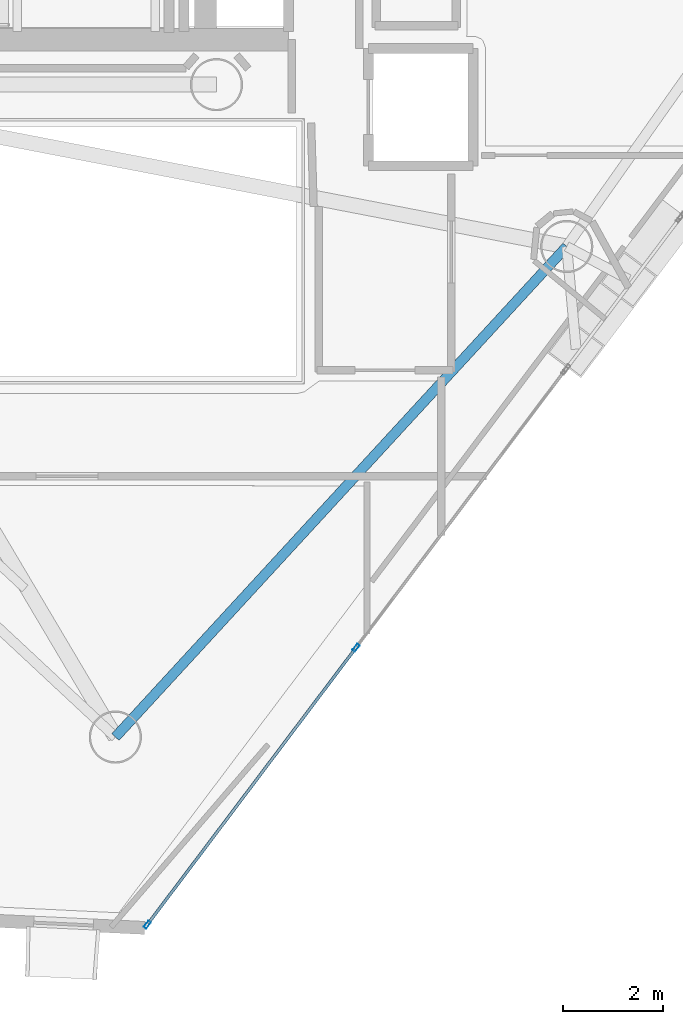
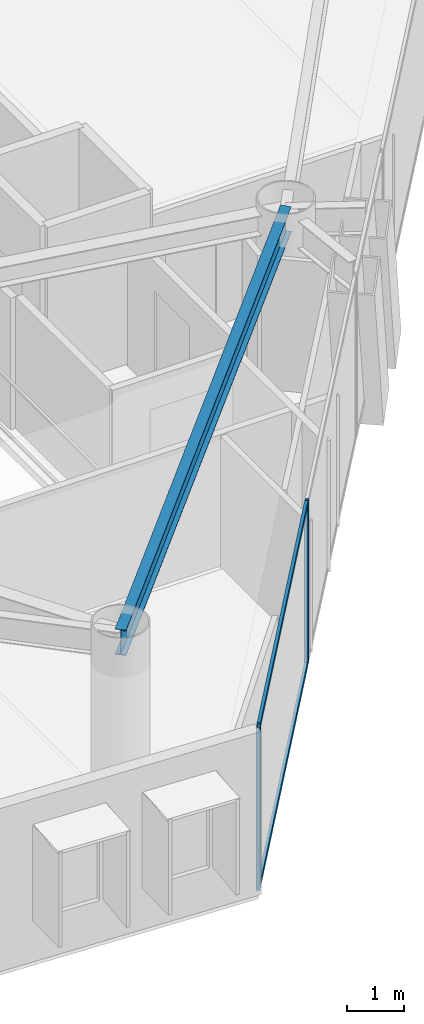
# One storey, part 4 of 19: 4 members, 1 beam, 1 element without a shape of its own.
"""IFC4 building model written with IfcOpenShell, lengths in metres."""

from ifc_helpers import new_model, si_unit, direction, frame, origin, origin_2d, place, context, subcontext, project, spatial, hollow_rectangle, i_section, extrude, material, layer, layer_set, material_profile, profile_set, type_object, element, aggregate, save


model = new_model("IFC4")

# Units and contexts
model_context = context("Model", 3, precision=1e-05, world=origin(), true_north=direction((0.0, 1.0)))
body_context = subcontext(model_context, "Body", "Model", "MODEL_VIEW")
ifc_project = project(units=[si_unit("LENGTHUNIT", "METRE"), si_unit("AREAUNIT", "SQUARE_METRE"), si_unit("VOLUMEUNIT", "CUBIC_METRE"), si_unit("PLANEANGLEUNIT", "RADIAN"), si_unit("MASSUNIT", "GRAM", prefix="KILO")], contexts=[model_context])

# Site, building, storey
site_placement = place(None, origin())
site = spatial("IfcSite", under=ifc_project, at=site_placement, CompositionType="ELEMENT")
building_placement = place(site_placement, origin())
building = spatial("IfcBuilding", under=site, at=building_placement, Name="Qianvela Tower", CompositionType="ELEMENT")
storey_placement = place(building_placement, frame((0.0, 0.0, 268.60009765625)))
storey = spatial("IfcBuildingStorey", under=building, at=storey_placement, Name="L69", CompositionType="ELEMENT", Elevation=268.60009765625)

# Beam
ifc_material_1 = material(Name="Steel Q355B", Category="steel")
ifc_material_profile_1 = material_profile(ifc_material_1, i_section(OverallWidth=0.199951171875, OverallDepth=0.550048828125, WebThickness=0.010009765625, FlangeThickness=0.01611328125, at=origin_2d()), Name="HN550x200x10x16")
ifc_profile_set_1 = profile_set([ifc_material_profile_1], Name="Steel Q355B")
beam_type = type_object("IfcBeamType", Name="BM-HN550-GIRD", PredefinedType="BEAM", material=ifc_profile_set_1)
beam_placement = place(storey_placement, frame((36.368896484375, 10.741943359375, 3.242919921875), z_axis=(0.677042708154, 0.735943728376, 0.0), x_axis=(-0.735943728376, 0.677042708154, 0.0)))
element("IfcBeam", 1, at=beam_placement, inside=storey, type_object=beam_type, Name="L69 Perimeter Ring Spandrel Girder 5", PredefinedType="BEAM", context=body_context, shape_type="SweptSolid", body=[
    extrude(i_section(OverallWidth=0.199951171875, OverallDepth=0.550048828125, WebThickness=0.010009765625, FlangeThickness=0.01611328125, at=origin_2d()), origin(), (0.0, 0.0, 1.0), 13.392333984375),
])

# Curtain wall, members
ifc_material_2 = material(Name="Anodised Architectural Aluminium and Low-E Glass", Category="aluminium")
ifc_layer = layer(ifc_material_2, 0.159912109375)
ifc_layer_set = layer_set([ifc_layer], Name="Anodised Architectural Aluminium and Low-E Glass")
curtain_wall_type = type_object("IfcCurtainWallType", Name="CW-COLIV-Z56", PredefinedType="USERDEFINED", material=ifc_layer_set)
curtain_wall_placement = place(storey_placement, origin())
curtain_wall = element("IfcCurtainWall", 2, at=curtain_wall_placement, inside=storey, type_object=curtain_wall_type, Name="L69 CW-COLIV-Z56 Curtain Wall 06A", ObjectType="CURTAIN_WALL_SYSTEM", PredefinedType="USERDEFINED")
ifc_material_3 = material(Name="Anodised Architectural Aluminium 6063-T6", Category="aluminium")
ifc_material_profile_2 = material_profile(ifc_material_3, hollow_rectangle(XDim=0.06494140625, YDim=0.159912109375, WallThickness=0.0048828125, at=origin_2d()), Name="ALU-MULL-65x160")
ifc_profile_set_2 = profile_set([ifc_material_profile_2], Name="Anodised Architectural Aluminium 6063-T6")
member_type_1 = type_object("IfcMemberType", Name="CW-COLIV-Z56-MULL", PredefinedType="MULLION", material=ifc_profile_set_2)
member_1_placement = place(storey_placement, frame((37.010009765625, 6.97216796875, 0.0), z_axis=(0.0, 0.0, 1.0), x_axis=(-0.798561999533, 0.601912562506, 0.0)))
member_1 = element("IfcMember", 3, at=member_1_placement, type_object=member_type_1, Name="CW-5 mullion 1", PredefinedType="MULLION", context=body_context, shape_type="SweptSolid", body=[
    extrude(hollow_rectangle(XDim=0.06494140625, YDim=0.159912109375, WallThickness=0.0048828125, at=origin_2d()), origin(), (0.0, 0.0, 1.0), 3.52001953125),
])
member_2_placement = place(storey_placement, frame((41.203857421875, 12.5361328125, 0.0), z_axis=(0.0, 0.0, 1.0), x_axis=(-0.798561999533, 0.601912562506, 0.0)))
member_2 = element("IfcMember", 4, at=member_2_placement, type_object=member_type_1, Name="CW-5 mullion 2", PredefinedType="MULLION", context=body_context, shape_type="SweptSolid", body=[
    extrude(hollow_rectangle(XDim=0.06494140625, YDim=0.159912109375, WallThickness=0.0048828125, at=origin_2d()), origin(), (0.0, 0.0, 1.0), 3.52001953125),
])
ifc_material_4 = material(Name="Anodised Architectural Aluminium 6063-T6", Category="aluminium")
ifc_material_profile_3 = material_profile(ifc_material_4, hollow_rectangle(XDim=0.06005859375, YDim=0.114990234375, WallThickness=0.00390625, at=origin_2d()), Name="ALU-TRAN-60x115")
ifc_profile_set_3 = profile_set([ifc_material_profile_3], Name="Anodised Architectural Aluminium 6063-T6")
member_type_2 = type_object("IfcMemberType", Name="CW-COLIV-Z56-TRAN", PredefinedType="USERDEFINED", material=ifc_profile_set_3)
member_3_placement = place(storey_placement, frame((37.029541015625, 6.998046875, 0.02978515625), z_axis=(0.601911044983, 0.798563143356, 0.0), x_axis=(-0.798563143356, 0.601911044983, 0.0)))
member_3 = element("IfcMember", 5, at=member_3_placement, type_object=member_type_2, Name="CW-5 transom 1.1", ObjectType="TRANSOM", PredefinedType="USERDEFINED", context=body_context, shape_type="SweptSolid", body=[
    extrude(hollow_rectangle(XDim=0.06005859375, YDim=0.114990234375, WallThickness=0.00390625, at=origin_2d()), origin(), (0.0, 0.0, 1.0), 6.902587890625),
])
member_4_placement = place(storey_placement, frame((37.029541015625, 6.998046875, 3.489990234375), z_axis=(0.601911044983, 0.798563143356, 0.0), x_axis=(-0.798563143356, 0.601911044983, 0.0)))
member_4 = element("IfcMember", 6, at=member_4_placement, type_object=member_type_2, Name="CW-5 transom 1.2", ObjectType="TRANSOM", PredefinedType="USERDEFINED", context=body_context, shape_type="SweptSolid", body=[
    extrude(hollow_rectangle(XDim=0.06005859375, YDim=0.114990234375, WallThickness=0.00390625, at=origin_2d()), origin(), (0.0, 0.0, 1.0), 6.902587890625),
])
aggregate(curtain_wall, [member_1, member_2, member_3, member_4])

save(model, "model.ifc")
